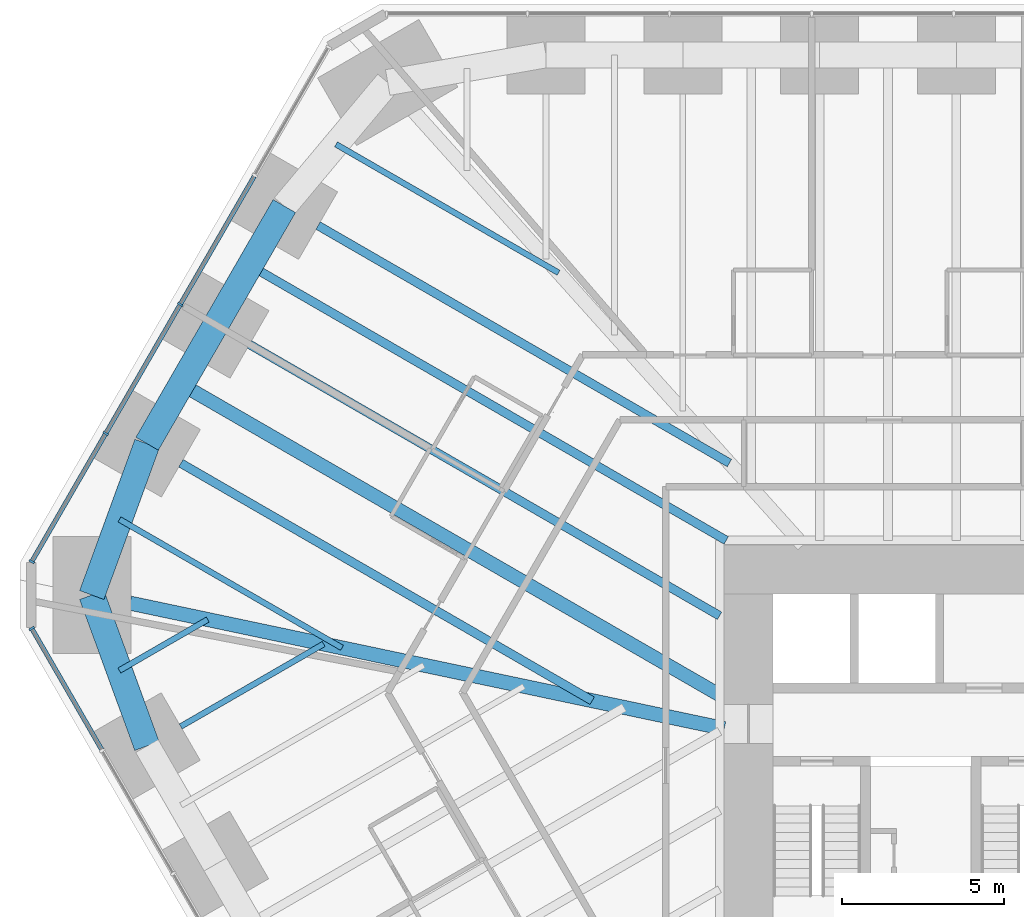
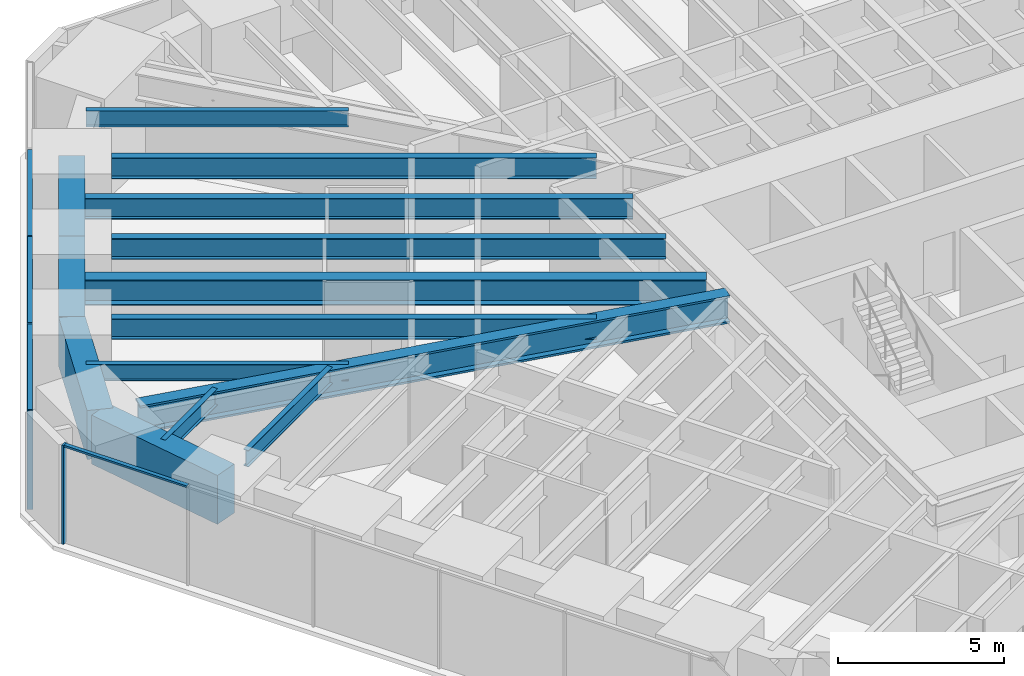
# One storey, part 7 of 17: 14 beams, 8 members, 2 elements without a shape of their own.
"""IFC4 building model written with IfcOpenShell, lengths in metres."""

from ifc_helpers import new_model, si_unit, direction, frame, origin, origin_2d, place, context, subcontext, project, spatial, rectangle, i_section, extrude, material, material_profile, profile_set, type_object, element, aggregate, save


model = new_model("IFC4")

# Units and contexts
model_context = context("Model", 3, precision=1e-05, world=origin(), true_north=direction((0.0, 1.0)))
body_context = subcontext(model_context, "Body", "Model", "MODEL_VIEW")
ifc_project = project(units=[si_unit("LENGTHUNIT", "METRE"), si_unit("AREAUNIT", "SQUARE_METRE"), si_unit("VOLUMEUNIT", "CUBIC_METRE"), si_unit("PLANEANGLEUNIT", "RADIAN"), si_unit("MASSUNIT", "GRAM", prefix="KILO")], contexts=[model_context])

# Site, building, storey
site_placement = place(None, origin())
site = spatial("IfcSite", under=ifc_project, at=site_placement, CompositionType="ELEMENT")
building_placement = place(site_placement, origin())
building = spatial("IfcBuilding", under=site, at=building_placement, Name="Sandreach Pilgrim Tower", CompositionType="ELEMENT")
storey_placement = place(building_placement, frame((0.0, 0.0, 42.0)))
storey = spatial("IfcBuildingStorey", under=building, at=storey_placement, Name="L09", CompositionType="ELEMENT", Elevation=42.0)

# Curtain wall, member
ifc_material_1 = material(Name="Aluminium framed curtain wall", Category="aluminium")
curtain_wall_type = type_object("IfcCurtainWallType", Name="Hostel tower curtain wall", PredefinedType="NOTDEFINED", material=ifc_material_1)
curtain_wall_1_placement = place(storey_placement, origin())
curtain_wall_1 = element("IfcCurtainWall", 1, at=curtain_wall_1_placement, inside=storey, type_object=curtain_wall_type, Name="CW-1 L09 SW", PredefinedType="NOTDEFINED")
ifc_material_2 = material(Name="Aluminium extrusion", Category="aluminium")
ifc_material_profile_1 = material_profile(ifc_material_2, rectangle(XDim=0.06494140625, YDim=0.179931640625, at=origin_2d()), Name="CW-1M 65X180")
ifc_profile_set_1 = profile_set([ifc_material_profile_1], Name="Aluminium extrusion")
member_type_1 = type_object("IfcMemberType", Name="CW-1 mullion", PredefinedType="MULLION", material=ifc_profile_set_1)
member_1_placement = place(storey_placement, frame((-30.56005859375, 5.033935546875, 0.0), z_axis=(0.0, 0.0, 1.0), x_axis=(-0.5, 0.866025403784, 0.0)))
member_1 = element("IfcMember", 2, at=member_1_placement, type_object=member_type_1, Name="CW-1 mullion 10", PredefinedType="MULLION", context=body_context, shape_type="SweptSolid", body=[
    extrude(rectangle(XDim=0.06494140625, YDim=0.179931640625, at=origin_2d()), origin(), (0.0, 0.0, 1.0), 3.639892578125),
])

# Curtain wall, members
curtain_wall_2_placement = place(storey_placement, origin())
curtain_wall_2 = element("IfcCurtainWall", 3, at=curtain_wall_2_placement, inside=storey, type_object=curtain_wall_type, Name="CW-1 L09 NW", PredefinedType="NOTDEFINED")
member_2_placement = place(storey_placement, frame((-30.56005859375, 7.09033203125, 0.0), z_axis=(0.0, 0.0, 1.0), x_axis=(0.5, 0.866025403784, 0.0)))
member_2 = element("IfcMember", 4, at=member_2_placement, type_object=member_type_1, Name="CW-1 mullion 1", PredefinedType="MULLION", context=body_context, shape_type="SweptSolid", body=[
    extrude(rectangle(XDim=0.06494140625, YDim=0.179931640625, at=origin_2d()), origin(), (0.0, 0.0, 1.0), 3.639892578125),
])
member_3_placement = place(storey_placement, frame((-28.283203125, 11.03369140625, 0.0), z_axis=(0.0, 0.0, 1.0), x_axis=(0.5, 0.866025403784, 0.0)))
member_3 = element("IfcMember", 5, at=member_3_placement, type_object=member_type_1, Name="CW-1 mullion 2", PredefinedType="MULLION", context=body_context, shape_type="SweptSolid", body=[
    extrude(rectangle(XDim=0.06494140625, YDim=0.179931640625, at=origin_2d()), origin(), (0.0, 0.0, 1.0), 3.639892578125),
])
member_4_placement = place(storey_placement, frame((-25.990234375, 15.00537109375, 0.0), z_axis=(0.0, 0.0, 1.0), x_axis=(0.5, 0.866025403784, 0.0)))
member_4 = element("IfcMember", 6, at=member_4_placement, type_object=member_type_1, Name="CW-1 mullion 3", PredefinedType="MULLION", context=body_context, shape_type="SweptSolid", body=[
    extrude(rectangle(XDim=0.06494140625, YDim=0.179931640625, at=origin_2d()), origin(), (0.0, 0.0, 1.0), 3.639892578125),
])

# Member
ifc_material_3 = material(Name="Aluminium extrusion", Category="aluminium")
ifc_material_profile_2 = material_profile(ifc_material_3, rectangle(XDim=0.139892578125, YDim=0.070068359375, at=origin_2d()), Name="CW-1T 140X70")
ifc_profile_set_2 = profile_set([ifc_material_profile_2], Name="Aluminium extrusion")
member_type_2 = type_object("IfcMemberType", Name="CW-1 transom", PredefinedType="USERDEFINED", material=ifc_profile_set_2)
member_5_placement = place(storey_placement, frame((-28.40673828125, 1.304443359375, 3.60498046875), z_axis=(-0.499991113271, 0.866030534479, 0.0), x_axis=(-0.866030534479, -0.499991113271, 0.0)))
member_5 = element("IfcMember", 7, at=member_5_placement, type_object=member_type_2, Name="CW-1 head transom 9", ObjectType="TRANSOM", PredefinedType="USERDEFINED", context=body_context, shape_type="SweptSolid", body=[
    extrude(rectangle(XDim=0.139892578125, YDim=0.070068359375, at=origin_2d()), origin(), (0.0, 0.0, 1.0), 4.27392578125),
])

aggregate(curtain_wall_1, [member_1, member_5])

member_6_placement = place(storey_placement, frame((-30.543701171875, 7.118408203125, 3.60498046875), z_axis=(0.499976706761, 0.866038851724, 0.0), x_axis=(-0.866038851724, 0.499976706761, 0.0)))
member_6 = element("IfcMember", 8, at=member_6_placement, type_object=member_type_2, Name="CW-1 head transom 1", ObjectType="TRANSOM", PredefinedType="USERDEFINED", context=body_context, shape_type="SweptSolid", body=[
    extrude(rectangle(XDim=0.139892578125, YDim=0.070068359375, at=origin_2d()), origin(), (0.0, 0.0, 1.0), 4.488525390625),
])

member_7_placement = place(storey_placement, frame((-28.266845703125, 11.06201171875, 3.60498046875), z_axis=(0.500001366228, 0.866024614991, 0.0), x_axis=(-0.866024614991, 0.500001366228, 0.0)))
member_7 = element("IfcMember", 9, at=member_7_placement, type_object=member_type_2, Name="CW-1 head transom 2", ObjectType="TRANSOM", PredefinedType="USERDEFINED", context=body_context, shape_type="SweptSolid", body=[
    extrude(rectangle(XDim=0.139892578125, YDim=0.070068359375, at=origin_2d()), origin(), (0.0, 0.0, 1.0), 4.52099609375),
])

member_8_placement = place(storey_placement, frame((-25.973876953125, 15.03369140625, 3.60498046875), z_axis=(0.500001366228, 0.866024614991, 0.0), x_axis=(-0.866024614991, 0.500001366228, 0.0)))
member_8 = element("IfcMember", 10, at=member_8_placement, type_object=member_type_2, Name="CW-1 head transom 3", ObjectType="TRANSOM", PredefinedType="USERDEFINED", context=body_context, shape_type="SweptSolid", body=[
    extrude(rectangle(XDim=0.139892578125, YDim=0.070068359375, at=origin_2d()), origin(), (0.0, 0.0, 1.0), 4.52099609375),
])

aggregate(curtain_wall_2, [member_2, member_3, member_4, member_6, member_7, member_8])

# Beams
ifc_material_4 = material(Name="Steel ASTM A992 Grade 50", Category="steel")
ifc_material_profile_3 = material_profile(ifc_material_4, i_section(OverallWidth=0.436767578125, OverallDepth=1.010986328125, WebThickness=0.040771484375, FlangeThickness=0.073974609375, at=origin_2d()), Name="W36X529")
ifc_profile_set_3 = profile_set([ifc_material_profile_3], Name="Steel ASTM A992 Grade 50")
beam_type_1 = type_object("IfcBeamType", Name="Corner girder W36X529", PredefinedType="BEAM", material=ifc_profile_set_3)
beam_1_placement = place(storey_placement, frame((-27.53857421875, 5.814208984375, 3.134521484375), z_axis=(0.978429884383, -0.206579189045, 0.0), x_axis=(0.206579189045, 0.978429884383, 0.0)))
element("IfcBeam", 11, at=beam_1_placement, inside=storey, type_object=beam_type_1, Name="BM L09 CG35", PredefinedType="BEAM", context=body_context, shape_type="SweptSolid", body=[
    extrude(i_section(OverallWidth=0.436767578125, OverallDepth=1.010986328125, WebThickness=0.040771484375, FlangeThickness=0.073974609375, at=origin_2d()), origin(), (0.0, 0.0, 1.0), 18.691650390625),
])
ifc_material_5 = material(Name="Steel ASTM A992 Grade 50", Category="steel")
ifc_material_profile_4 = material_profile(ifc_material_5, i_section(OverallWidth=0.1787109375, OverallDepth=0.60205078125, WebThickness=0.010986328125, FlangeThickness=0.014892578125, at=origin_2d()), Name="W24X62")
ifc_profile_set_4 = profile_set([ifc_material_profile_4], Name="Steel ASTM A992 Grade 50")
beam_type_2 = type_object("IfcBeamType", Name="Floor beam W24X62", PredefinedType="BEAM", material=ifc_profile_set_4)
beam_2_placement = place(storey_placement, frame((-25.97705078125, 2.016357421875, 3.339111328125), z_axis=(0.866027897259, 0.49999568115, 0.0), x_axis=(-0.49999568115, 0.866027897259, 0.0)))
element("IfcBeam", 12, at=beam_2_placement, inside=storey, type_object=beam_type_2, Name="BM L09 F34", PredefinedType="BEAM", context=body_context, shape_type="SweptSolid", body=[
    extrude(i_section(OverallWidth=0.1787109375, OverallDepth=0.60205078125, WebThickness=0.010986328125, FlangeThickness=0.014892578125, at=origin_2d()), origin(), (0.0, 0.0, 1.0), 5.0791015625),
])
beam_3_placement = place(storey_placement, frame((-27.864501953125, 3.7392578125, 3.339111328125), z_axis=(0.866023718453, 0.500002919068, 0.0), x_axis=(-0.500002919068, 0.866023718453, 0.0)))
element("IfcBeam", 13, at=beam_3_placement, inside=storey, type_object=beam_type_2, Name="BM L09 FM34", PredefinedType="BEAM", context=body_context, shape_type="SweptSolid", body=[
    extrude(i_section(OverallWidth=0.1787109375, OverallDepth=0.60205078125, WebThickness=0.010986328125, FlangeThickness=0.014892578125, at=origin_2d()), origin(), (0.0, 0.0, 1.0), 3.1396484375),
])
for number, where, z_axis, x_axis, name in (
    (14, (-27.861328125, 8.390380859375, 3.339111328125), (0.866028778003, -0.499994155636, 0.0), (0.499994155636, 0.866028778003, 0.0), "BM L09 FM35"),
    (15, (-21.197021484375, 19.933349609375, 3.339111328125), (0.866028778003, -0.499994155636, 0.0), (0.499994155636, 0.866028778003, 0.0), "BM L09 FM38"),
):
    element("IfcBeam", number, at=place(storey_placement, frame(where, z_axis=z_axis, x_axis=x_axis)), inside=storey, type_object=beam_type_2, Name=name, PredefinedType="BEAM", context=body_context, shape_type="SweptSolid", body=[
        extrude(i_section(OverallWidth=0.1787109375, OverallDepth=0.60205078125, WebThickness=0.010986328125, FlangeThickness=0.014892578125, at=origin_2d()), origin(), (0.0, 0.0, 1.0), 7.90771484375),
    ])
ifc_material_6 = material(Name="Steel ASTM A992 Grade 50", Category="steel")
ifc_material_profile_5 = material_profile(ifc_material_6, i_section(OverallWidth=0.2666015625, OverallDepth=0.761962890625, WebThickness=0.014404296875, FlangeThickness=0.021484375, at=origin_2d()), Name="W30X116")
ifc_profile_set_5 = profile_set([ifc_material_profile_5], Name="Steel ASTM A992 Grade 50")
beam_type_3 = type_object("IfcBeamType", Name="Floor beam W30X116", PredefinedType="BEAM", material=ifc_profile_set_5)
for number, where, z_axis, x_axis, name in (
    (16, (-25.970947265625, 10.118896484375, 3.259033203125), (0.866020355572, -0.500008743658, 0.0), (0.500008743658, 0.866020355572, 0.0), "BM L09 F36"),
    (17, (-21.74853515625, 17.43212890625, 3.259033203125), (0.866020355572, -0.500008743658, 0.0), (0.500008743658, 0.866020355572, 0.0), "BM L09 F38"),
):
    element("IfcBeam", number, at=place(storey_placement, frame(where, z_axis=z_axis, x_axis=x_axis)), inside=storey, type_object=beam_type_3, Name=name, PredefinedType="BEAM", context=body_context, shape_type="SweptSolid", body=[
        extrude(i_section(OverallWidth=0.2666015625, OverallDepth=0.761962890625, WebThickness=0.014404296875, FlangeThickness=0.021484375, at=origin_2d()), origin(), (0.0, 0.0, 1.0), 14.615966796875),
    ])
ifc_material_7 = material(Name="Steel ASTM A992 Grade 50", Category="steel")
ifc_material_profile_6 = material_profile(ifc_material_7, i_section(OverallWidth=0.2666015625, OverallDepth=0.77978515625, WebThickness=0.0166015625, FlangeThickness=0.030029296875, at=origin_2d()), Name="W30X148")
ifc_profile_set_6 = profile_set([ifc_material_profile_6], Name="Steel ASTM A992 Grade 50")
beam_type_4 = type_object("IfcBeamType", Name="Floor beam W30X148", PredefinedType="BEAM", material=ifc_profile_set_6)
beam_4_placement = place(storey_placement, frame((-23.85986328125, 13.775390625, 3.25), z_axis=(0.866031037473, -0.499990242038, 0.0), x_axis=(0.499990242038, 0.866031037473, 0.0)))
element("IfcBeam", 18, at=beam_4_placement, inside=storey, type_object=beam_type_4, Name="BM L09 F37", PredefinedType="BEAM", context=body_context, shape_type="SweptSolid", body=[
    extrude(i_section(OverallWidth=0.2666015625, OverallDepth=0.77978515625, WebThickness=0.0166015625, FlangeThickness=0.030029296875, at=origin_2d()), origin(), (0.0, 0.0, 1.0), 16.704345703125),
])
beam_5_placement = place(storey_placement, frame((-23.843505859375, 16.203857421875, 3.25), z_axis=(0.866027248123, -0.499996805499, 0.0), x_axis=(0.499996805499, 0.866027248123, 0.0)))
element("IfcBeam", 19, at=beam_5_placement, inside=storey, type_object=beam_type_4, Name="BM L09 FM37", PredefinedType="BEAM", context=body_context, shape_type="SweptSolid", body=[
    extrude(i_section(OverallWidth=0.2666015625, OverallDepth=0.77978515625, WebThickness=0.0166015625, FlangeThickness=0.030029296875, at=origin_2d()), origin(), (0.0, 0.0, 1.0), 16.9208984375),
])
ifc_material_8 = material(Name="Steel ASTM A992 Grade 50", Category="steel")
ifc_material_profile_7 = material_profile(ifc_material_8, i_section(OverallWidth=0.419189453125, OverallDepth=0.927001953125, WebThickness=0.019287109375, FlangeThickness=0.031982421875, at=origin_2d()), Name="W36X231")
ifc_profile_set_7 = profile_set([ifc_material_profile_7], Name="Steel ASTM A992 Grade 50")
beam_type_5 = type_object("IfcBeamType", Name="Floor beam W36X231", PredefinedType="BEAM", material=ifc_profile_set_7)
beam_6_placement = place(storey_placement, frame((-25.95458984375, 12.547119140625, 3.176513671875), z_axis=(0.866028474707, -0.499994680968, 0.0), x_axis=(0.499994680968, 0.866028474707, 0.0)))
element("IfcBeam", 20, at=beam_6_placement, inside=storey, type_object=beam_type_5, Name="BM L09 FM36", PredefinedType="BEAM", context=body_context, shape_type="SweptSolid", body=[
    extrude(i_section(OverallWidth=0.419189453125, OverallDepth=0.927001953125, WebThickness=0.019287109375, FlangeThickness=0.031982421875, at=origin_2d()), origin(), (0.0, 0.0, 1.0), 19.123291015625),
])
ifc_material_9 = material(Name="Concrete 10000 psi", Category="concrete")
ifc_material_profile_8 = material_profile(ifc_material_9, rectangle(XDim=0.800048828125, YDim=1.800048828125, at=origin_2d()), Name="RC800X1800")
ifc_profile_set_8 = profile_set([ifc_material_profile_8], Name="Concrete 10000 psi")
beam_type_6 = type_object("IfcBeamType", Name="Spandrel beam RC800X1800", PredefinedType="SPANDREL", material=ifc_profile_set_8)
beam_7_placement = place(storey_placement, frame((-27.016357421875, 1.416259765625, 2.739990234375), z_axis=(-0.342963480301, 0.939348737786, 0.0), x_axis=(-0.939348737786, -0.342963480301, 0.0)))
element("IfcBeam", 21, at=beam_7_placement, inside=storey, type_object=beam_type_6, Name="BM L09 SP34", PredefinedType="SPANDREL", context=body_context, shape_type="SweptSolid", body=[
    extrude(rectangle(XDim=0.800048828125, YDim=1.800048828125, at=origin_2d()), origin(), (0.0, 0.0, 1.0), 4.946044921875),
])
beam_8_placement = place(storey_placement, frame((-28.712646484375, 6.062255859375, 2.739990234375), z_axis=(0.343367552823, 0.939201109278, 0.0), x_axis=(-0.939201109278, 0.343367552823, 0.0)))
element("IfcBeam", 22, at=beam_8_placement, inside=storey, type_object=beam_type_6, Name="BM L09 SP35", PredefinedType="SPANDREL", context=body_context, shape_type="SweptSolid", body=[
    extrude(rectangle(XDim=0.800048828125, YDim=1.800048828125, at=origin_2d()), origin(), (0.0, 0.0, 1.0), 4.9580078125),
])
beam_9_placement = place(storey_placement, frame((-27.01025390625, 10.71875, 2.739990234375), z_axis=(0.500019412692, 0.866014195571, 0.0), x_axis=(-0.866014195571, 0.500019412692, 0.0)))
element("IfcBeam", 23, at=beam_9_placement, inside=storey, type_object=beam_type_6, Name="BM L09 SP36", PredefinedType="SPANDREL", context=body_context, shape_type="SweptSolid", body=[
    extrude(rectangle(XDim=0.800048828125, YDim=1.800048828125, at=origin_2d()), origin(), (0.0, 0.0, 1.0), 4.222412109375),
])
beam_10_placement = place(storey_placement, frame((-24.89892578125, 14.37548828125, 2.739990234375), z_axis=(0.500001084989, 0.866024777365, 0.0), x_axis=(-0.866024777365, 0.500001084989, 0.0)))
element("IfcBeam", 24, at=beam_10_placement, inside=storey, type_object=beam_type_6, Name="BM L09 SP37", PredefinedType="SPANDREL", context=body_context, shape_type="SweptSolid", body=[
    extrude(rectangle(XDim=0.800048828125, YDim=1.800048828125, at=origin_2d()), origin(), (0.0, 0.0, 1.0), 4.22216796875),
])

save(model, "model.ifc")
